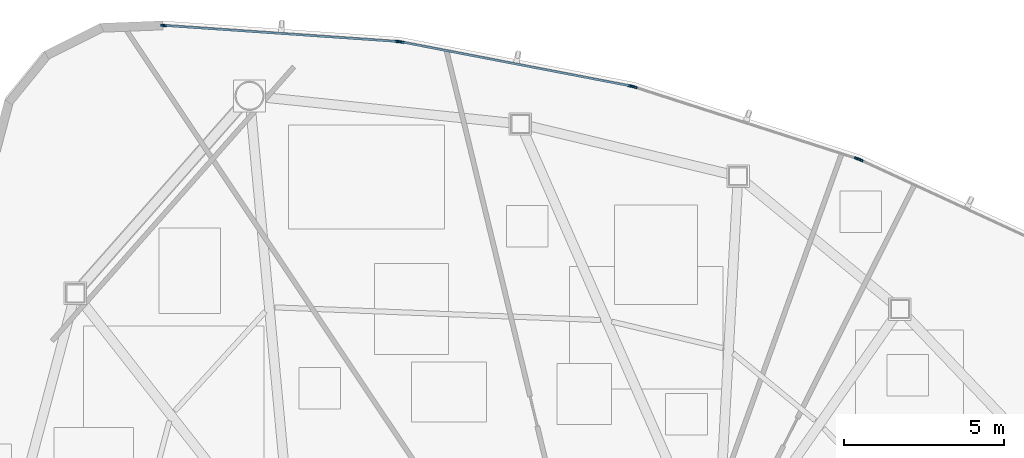
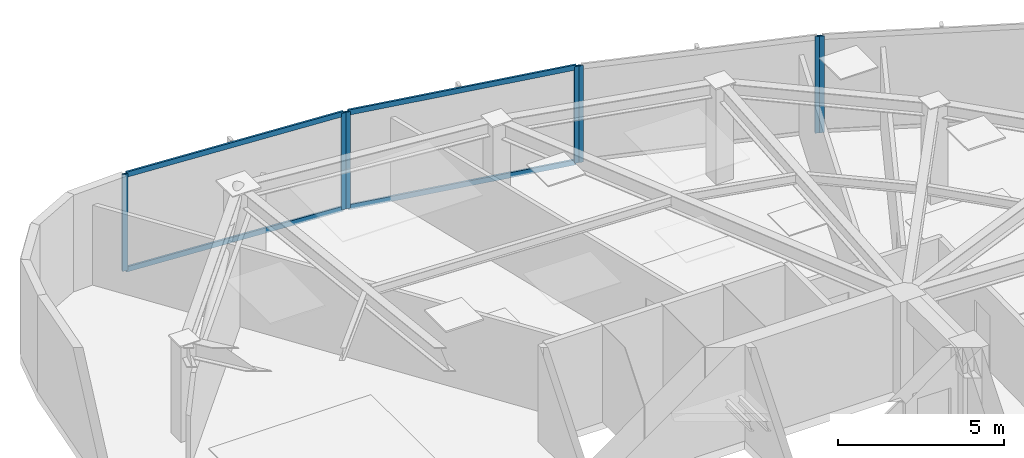
# One storey, part 8 of 17: 11 members, 4 elements without a shape of their own.
"""IFC4 building model written with IfcOpenShell, lengths in metres."""

from ifc_helpers import new_model, si_unit, direction, frame, origin, origin_2d, place, context, subcontext, project, spatial, hollow_rectangle, extrude, source, transform, mapped, material, layer, layer_set, material_profile, profile_set, type_object, type_shapes, element, aggregate, save


model = new_model("IFC4")

# Units and contexts
model_context = context("Model", 3, precision=1e-05, world=origin(), true_north=direction((0.0, 1.0)))
body_context = subcontext(model_context, "Body", "Model", "MODEL_VIEW")
ifc_project = project(units=[si_unit("LENGTHUNIT", "METRE"), si_unit("AREAUNIT", "SQUARE_METRE"), si_unit("VOLUMEUNIT", "CUBIC_METRE"), si_unit("PLANEANGLEUNIT", "RADIAN"), si_unit("MASSUNIT", "GRAM", prefix="KILO")], contexts=[model_context])

# Site, building, storey
site_placement = place(None, origin())
site = spatial("IfcSite", under=ifc_project, at=site_placement, CompositionType="ELEMENT")
building_placement = place(site_placement, origin())
building = spatial("IfcBuilding", under=site, at=building_placement, Name="Tavelor Broadcast Tower", CompositionType="ELEMENT")
storey_placement = place(building_placement, frame((0.0, 0.0, 196.449951171875)))
storey = spatial("IfcBuildingStorey", under=building, at=storey_placement, Name="L47", CompositionType="ELEMENT", Elevation=196.449951171875)

# Curtain wall, member
ifc_material = material(Name="Architectural Anodized Aluminium", Category="aluminium")
ifc_layer = layer(ifc_material, 0.18994140625)
ifc_layer_set = layer_set([ifc_layer], Name="Architectural Anodized Aluminium")
curtain_wall_type = type_object("IfcCurtainWallType", Name="Tower Mid-Zone Acoustic Curtain Wall CW03", PredefinedType="NOTDEFINED", material=ifc_layer_set)
curtain_wall_1_placement = place(storey_placement, origin())
curtain_wall_1 = element("IfcCurtainWall", 1, at=curtain_wall_1_placement, inside=storey, type_object=curtain_wall_type, Name="L47 Curtain Wall CW03 Run 513", PredefinedType="NOTDEFINED")
ifc_material_profile_1 = material_profile(ifc_material, hollow_rectangle(XDim=0.068115234375, YDim=0.18994140625, WallThickness=0.02197265625, at=origin_2d()), Name="RHS 68x190x22")
ifc_profile_set_1 = profile_set([ifc_material_profile_1], Name="Architectural Anodized Aluminium")
member_type_1 = type_object("IfcMemberType", Name="CW03 Extruded Aluminium Mullion 68x190", PredefinedType="MULLION", material=ifc_profile_set_1)
shared_shape_1 = source(origin(), body_context, "Body", "SweptSolid", [
    extrude(hollow_rectangle(XDim=0.068115234375, YDim=0.18994140625, WallThickness=0.02197265625, at=origin_2d()), origin(), (0.0, 0.0, 1.0), 3.550048828125),
])
type_shapes(member_type_1, [shared_shape_1])
member_1_placement = place(storey_placement, frame((61.09228515625, 64.082275390625, 0.0), z_axis=(0.0, 0.0, 1.0), x_axis=(-0.419056464654, -0.907960175025, 0.0)))
member_1 = element("IfcMember", 2, at=member_1_placement, type_object=member_type_1, Name="CW03 mullion 2", PredefinedType="MULLION", context=body_context, shape_type="MappedRepresentation", body=[
    mapped(shared_shape_1, transform((0.0, 0.0, 0.0), scale=1.0)),
])
aggregate(curtain_wall_1, [member_1])

# Curtain wall, members
curtain_wall_2_placement = place(storey_placement, origin())
curtain_wall_2 = element("IfcCurtainWall", 3, at=curtain_wall_2_placement, inside=storey, type_object=curtain_wall_type, Name="L47 Curtain Wall CW03 Run 514", PredefinedType="NOTDEFINED")
member_2_placement = place(storey_placement, frame((61.001220703125, 64.117919921875, 0.0), z_axis=(0.0, 0.0, 1.0), x_axis=(-0.306113431797, -0.951995045614, 0.0)))
member_2 = element("IfcMember", 4, at=member_2_placement, type_object=member_type_1, Name="CW03 mullion 1", PredefinedType="MULLION", context=body_context, shape_type="MappedRepresentation", body=[
    mapped(shared_shape_1, transform((0.0, 0.0, 0.0), scale=1.0)),
])
member_3_placement = place(storey_placement, frame((54.031005859375, 66.359130859375, 0.0), z_axis=(0.0, 0.0, 1.0), x_axis=(-0.306113431797, -0.951995045614, 0.0)))
member_3 = element("IfcMember", 5, at=member_3_placement, type_object=member_type_1, Name="CW03 mullion 2", PredefinedType="MULLION", context=body_context, shape_type="MappedRepresentation", body=[
    mapped(shared_shape_1, transform((0.0, 0.0, 0.0), scale=1.0)),
])
aggregate(curtain_wall_2, [member_2, member_3])

curtain_wall_3_placement = place(storey_placement, origin())
curtain_wall_3 = element("IfcCurtainWall", 6, at=curtain_wall_3_placement, inside=storey, type_object=curtain_wall_type, Name="L47 Curtain Wall CW03 Run 515", PredefinedType="NOTDEFINED")
member_4_placement = place(storey_placement, frame((53.936279296875, 66.38330078125, 0.0), z_axis=(0.0, 0.0, 1.0), x_axis=(-0.188657162345, -0.982043010818, 0.0)))
member_4 = element("IfcMember", 7, at=member_4_placement, type_object=member_type_1, Name="CW03 mullion 1", PredefinedType="MULLION", context=body_context, shape_type="MappedRepresentation", body=[
    mapped(shared_shape_1, transform((0.0, 0.0, 0.0), scale=1.0)),
])
member_5_placement = place(storey_placement, frame((46.74609375, 67.7646484375, 0.0), z_axis=(0.0, 0.0, 1.0), x_axis=(-0.188657162345, -0.982043010818, 0.0)))
member_5 = element("IfcMember", 8, at=member_5_placement, type_object=member_type_1, Name="CW03 mullion 2", PredefinedType="MULLION", context=body_context, shape_type="MappedRepresentation", body=[
    mapped(shared_shape_1, transform((0.0, 0.0, 0.0), scale=1.0)),
])

curtain_wall_4_placement = place(storey_placement, origin())
curtain_wall_4 = element("IfcCurtainWall", 9, at=curtain_wall_4_placement, inside=storey, type_object=curtain_wall_type, Name="L47 Curtain Wall CW03 Run 516", PredefinedType="NOTDEFINED")
member_6_placement = place(storey_placement, frame((46.649169921875, 67.777099609375, 0.0), z_axis=(0.0, 0.0, 1.0), x_axis=(-0.068434129214, -0.99765563696, 0.0)))
member_6 = element("IfcMember", 10, at=member_6_placement, type_object=member_type_1, Name="CW03 mullion 1", PredefinedType="MULLION", context=body_context, shape_type="MappedRepresentation", body=[
    mapped(shared_shape_1, transform((0.0, 0.0, 0.0), scale=1.0)),
])
member_7_placement = place(storey_placement, frame((39.32861328125, 68.279296875, 0.0), z_axis=(0.0, 0.0, 1.0), x_axis=(-0.068434129214, -0.99765563696, 0.0)))
member_7 = element("IfcMember", 11, at=member_7_placement, type_object=member_type_1, Name="CW03 mullion 2", PredefinedType="MULLION", context=body_context, shape_type="MappedRepresentation", body=[
    mapped(shared_shape_1, transform((0.0, 0.0, 0.0), scale=1.0)),
])

# Member
ifc_material_profile_2 = material_profile(ifc_material, hollow_rectangle(XDim=0.068115234375, YDim=0.18994140625, WallThickness=0.02197265625, at=origin_2d()), Name="RHS 68x190x22")
ifc_profile_set_2 = profile_set([ifc_material_profile_2], Name="Architectural Anodized Aluminium")
member_type_2 = type_object("IfcMemberType", Name="CW03 Extruded Aluminium Transom 68x190", PredefinedType="USERDEFINED", material=ifc_profile_set_2)
shared_shape_2 = source(origin(), body_context, "Body", "SweptSolid", [
    extrude(hollow_rectangle(XDim=0.068115234375, YDim=0.18994140625, WallThickness=0.02197265625, at=origin_2d()), origin(), (0.0, 0.0, 1.0), 7.25341796875),
])
member_8_placement = place(storey_placement, frame((53.90283203125, 66.3896484375, 0.033935546875), z_axis=(-0.982043639131, 0.188653891672, 0.0), x_axis=(-0.188653891672, -0.982043639131, 0.0)))
member_8 = element("IfcMember", 12, at=member_8_placement, type_object=member_type_2, Name="CW03 transom 1.1", ObjectType="TRANSOM", PredefinedType="USERDEFINED", context=body_context, shape_type="MappedRepresentation", body=[
    mapped(shared_shape_2, transform((0.0, 0.0, 0.0), scale=1.0)),
])

member_9_placement = place(storey_placement, frame((53.90283203125, 66.3896484375, 3.51611328125), z_axis=(-0.982043639131, 0.188653891672, 0.0), x_axis=(-0.188653891672, -0.982043639131, 0.0)))
member_9 = element("IfcMember", 13, at=member_9_placement, type_object=member_type_2, Name="CW03 transom 1.2", ObjectType="TRANSOM", PredefinedType="USERDEFINED", context=body_context, shape_type="MappedRepresentation", body=[
    mapped(shared_shape_2, transform((0.0, 0.0, 0.0), scale=1.0)),
])

aggregate(curtain_wall_3, [member_4, member_5, member_8, member_9])

shared_shape_3 = source(origin(), body_context, "Body", "SweptSolid", [
    extrude(hollow_rectangle(XDim=0.068115234375, YDim=0.18994140625, WallThickness=0.02197265625, at=origin_2d()), origin(), (0.0, 0.0, 1.0), 7.269775390625),
])
type_shapes(member_type_2, [shared_shape_2, shared_shape_3])
member_10_placement = place(storey_placement, frame((46.615234375, 67.779541015625, 0.033935546875), z_axis=(-0.99765735606, 0.068409062992, 0.0), x_axis=(-0.068409062992, -0.99765735606, 0.0)))
member_10 = element("IfcMember", 14, at=member_10_placement, type_object=member_type_2, Name="CW03 transom 1.1", ObjectType="TRANSOM", PredefinedType="USERDEFINED", context=body_context, shape_type="MappedRepresentation", body=[
    mapped(shared_shape_3, transform((0.0, 0.0, 0.0), scale=1.0)),
])

member_11_placement = place(storey_placement, frame((46.615234375, 67.779541015625, 3.51611328125), z_axis=(-0.99765735606, 0.068409062992, 0.0), x_axis=(-0.068409062992, -0.99765735606, 0.0)))
member_11 = element("IfcMember", 15, at=member_11_placement, type_object=member_type_2, Name="CW03 transom 1.2", ObjectType="TRANSOM", PredefinedType="USERDEFINED", context=body_context, shape_type="MappedRepresentation", body=[
    mapped(shared_shape_3, transform((0.0, 0.0, 0.0), scale=1.0)),
])

aggregate(curtain_wall_4, [member_6, member_7, member_10, member_11])

save(model, "model.ifc")
